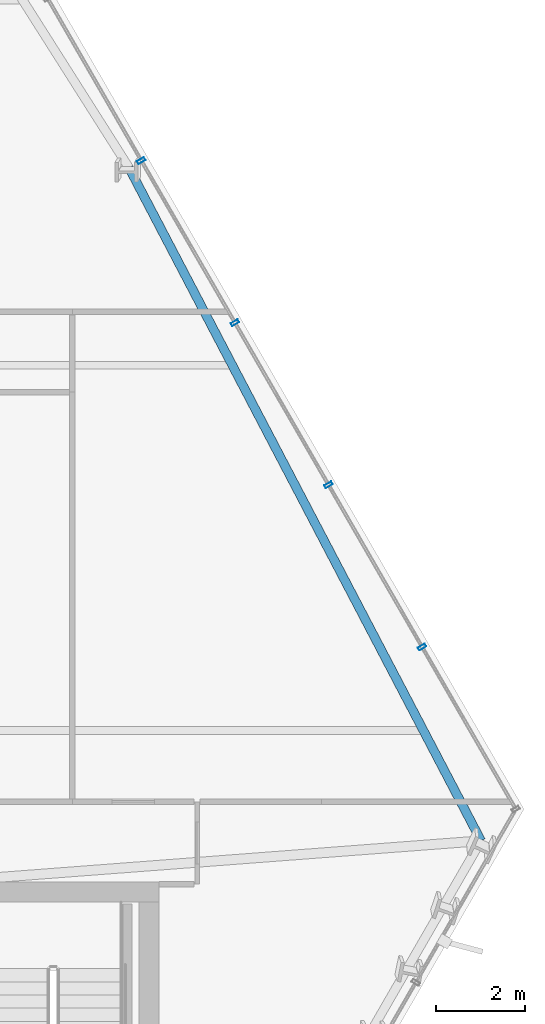
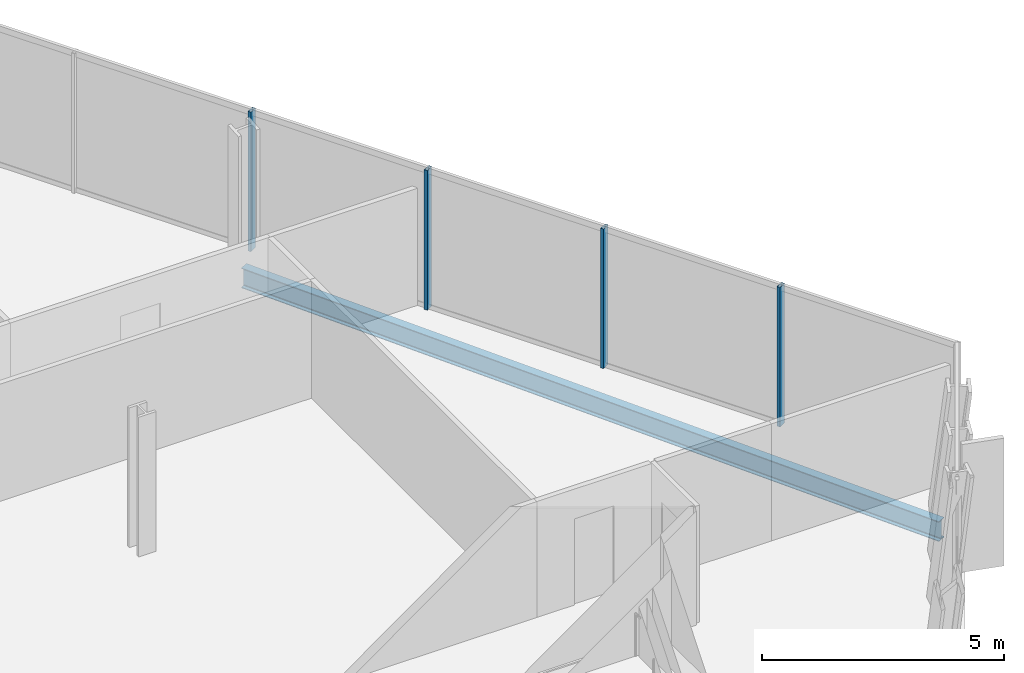
# One storey, part 17 of 31: 4 members, 1 beam, 1 element without a shape of its own.
"""IFC4 building model written with IfcOpenShell, lengths in metres."""

from ifc_helpers import new_model, si_unit, direction, frame, origin, origin_2d, place, context, subcontext, project, spatial, hollow_rectangle, i_section, extrude, material, layer, layer_set, material_profile, profile_set, type_object, element, aggregate, save


model = new_model("IFC4")

# Units and contexts
model_context = context("Model", 3, precision=1e-05, world=origin(), true_north=direction((0.0, 1.0)))
body_context = subcontext(model_context, "Body", "Model", "MODEL_VIEW")
ifc_project = project(units=[si_unit("LENGTHUNIT", "METRE"), si_unit("AREAUNIT", "SQUARE_METRE"), si_unit("VOLUMEUNIT", "CUBIC_METRE"), si_unit("PLANEANGLEUNIT", "RADIAN"), si_unit("MASSUNIT", "GRAM", prefix="KILO")], contexts=[model_context])

# Site, building, storey
site_placement = place(None, origin())
site = spatial("IfcSite", under=ifc_project, at=site_placement, CompositionType="ELEMENT")
building_placement = place(site_placement, origin())
building = spatial("IfcBuilding", under=site, at=building_placement, Name="Ndaravel Arena Tower", CompositionType="ELEMENT")
storey_placement = place(building_placement, frame((0.0, 0.0, 108.199951171875)))
storey = spatial("IfcBuildingStorey", under=building, at=storey_placement, Name="L25", CompositionType="ELEMENT", Elevation=108.199951171875)

# Beam
ifc_material_1 = material(Name="Steel S355", Category="steel")
ifc_material_profile_1 = material_profile(ifc_material_1, i_section(OverallWidth=0.199951171875, OverallDepth=0.5, WebThickness=0.01025390625, FlangeThickness=0.01611328125, FilletRadius=0.02099609375, at=origin_2d()), Name="IPE 500")
ifc_profile_set_1 = profile_set([ifc_material_profile_1], Name="Steel S355")
beam_type = type_object("IfcBeamType", Name="BM-SPAN-IPE500", PredefinedType="SPANDREL", material=ifc_profile_set_1)
beam_placement = place(storey_placement, frame((64.778076171875, 16.123291015625, -0.469970703125), z_axis=(-0.463540575518, 0.886075693634, 0.0), x_axis=(-0.886075693634, -0.463540575518, 0.0)))
element("IfcBeam", 1, at=beam_placement, inside=storey, type_object=beam_type, Name="L25 Perimeter Spandrel Beam SP-09", PredefinedType="SPANDREL", context=body_context, shape_type="SweptSolid", body=[
    extrude(i_section(OverallWidth=0.199951171875, OverallDepth=0.5, WebThickness=0.01025390625, FlangeThickness=0.01611328125, FilletRadius=0.02099609375, at=origin_2d()), origin(), (0.0, 0.0, 1.0), 17.057861328125),
])

# Curtain wall, members
ifc_material_2 = material(Name="Aluminium", Category="aluminium")
ifc_layer = layer(ifc_material_2, 0.179931640625)
ifc_layer_set = layer_set([ifc_layer], Name="Aluminium")
curtain_wall_type = type_object("IfcCurtainWallType", Name="CW-SYS-03", PredefinedType="NOTDEFINED", material=ifc_layer_set)
curtain_wall_placement = place(storey_placement, origin())
curtain_wall = element("IfcCurtainWall", 2, at=curtain_wall_placement, inside=storey, type_object=curtain_wall_type, Name="L25 Faceted Crystal Curtain Wall CW-L25-E03", PredefinedType="NOTDEFINED")
ifc_material_3 = material(Name="Aluminium", Category="aluminium")
ifc_material_profile_2 = material_profile(ifc_material_3, hollow_rectangle(XDim=0.074951171875, YDim=0.179931640625, WallThickness=0.00390625, at=origin_2d()), Name="CW MULLION 75x180x4")
ifc_profile_set_2 = profile_set([ifc_material_profile_2], Name="Aluminium")
member_type = type_object("IfcMemberType", Name="MEM-CW-MUL180", PredefinedType="MULLION", material=ifc_profile_set_2)
member_1_placement = place(storey_placement, frame((63.455078125, 20.47412109375, 0.0), z_axis=(0.0, 0.0, 1.0), x_axis=(-0.5, 0.866025403784, 0.0)))
member_1 = element("IfcMember", 3, at=member_1_placement, type_object=member_type, Name="CW-L25-E03 Mullion 01", PredefinedType="MULLION", context=body_context, shape_type="SweptSolid", body=[
    extrude(hollow_rectangle(XDim=0.074951171875, YDim=0.179931640625, WallThickness=0.00390625, at=origin_2d()), origin(), (0.0, 0.0, 1.0), 3.52001953125),
])
member_2_placement = place(storey_placement, frame((61.352783203125, 24.115234375, 0.0), z_axis=(0.0, 0.0, 1.0), x_axis=(-0.5, 0.866025403784, 0.0)))
member_2 = element("IfcMember", 4, at=member_2_placement, type_object=member_type, Name="CW-L25-E03 Mullion 02", PredefinedType="MULLION", context=body_context, shape_type="SweptSolid", body=[
    extrude(hollow_rectangle(XDim=0.074951171875, YDim=0.179931640625, WallThickness=0.00390625, at=origin_2d()), origin(), (0.0, 0.0, 1.0), 3.52001953125),
])
member_3_placement = place(storey_placement, frame((59.25048828125, 27.756591796875, 0.0), z_axis=(0.0, 0.0, 1.0), x_axis=(-0.5, 0.866025403784, 0.0)))
member_3 = element("IfcMember", 5, at=member_3_placement, type_object=member_type, Name="CW-L25-E03 Mullion 03", PredefinedType="MULLION", context=body_context, shape_type="SweptSolid", body=[
    extrude(hollow_rectangle(XDim=0.074951171875, YDim=0.179931640625, WallThickness=0.00390625, at=origin_2d()), origin(), (0.0, 0.0, 1.0), 3.52001953125),
])
member_4_placement = place(storey_placement, frame((57.148193359375, 31.397705078125, 0.0), z_axis=(0.0, 0.0, 1.0), x_axis=(-0.5, 0.866025403784, 0.0)))
member_4 = element("IfcMember", 6, at=member_4_placement, type_object=member_type, Name="CW-L25-E03 Mullion 04", PredefinedType="MULLION", context=body_context, shape_type="SweptSolid", body=[
    extrude(hollow_rectangle(XDim=0.074951171875, YDim=0.179931640625, WallThickness=0.00390625, at=origin_2d()), origin(), (0.0, 0.0, 1.0), 3.52001953125),
])
aggregate(curtain_wall, [member_1, member_2, member_3, member_4])

save(model, "model.ifc")
